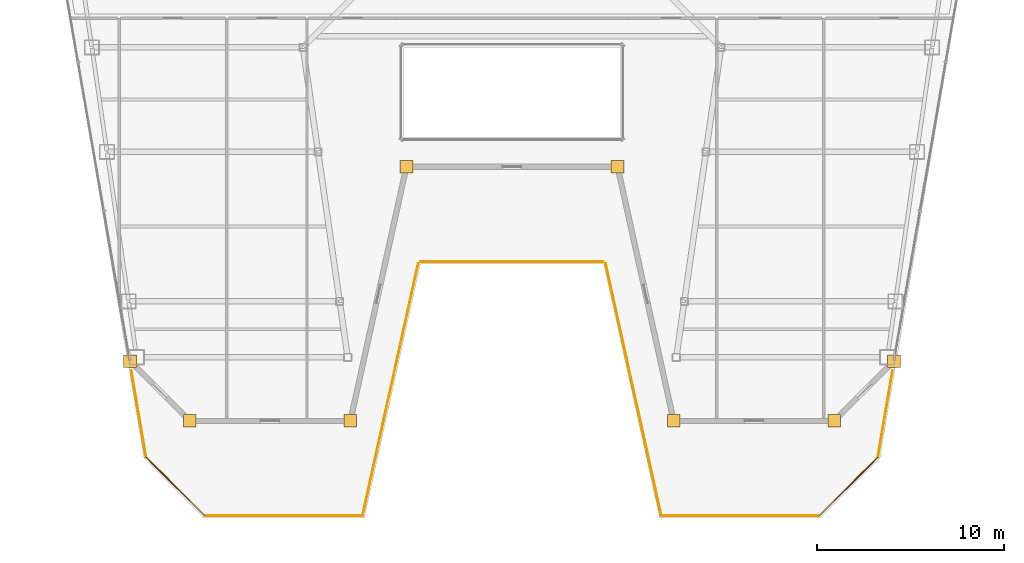
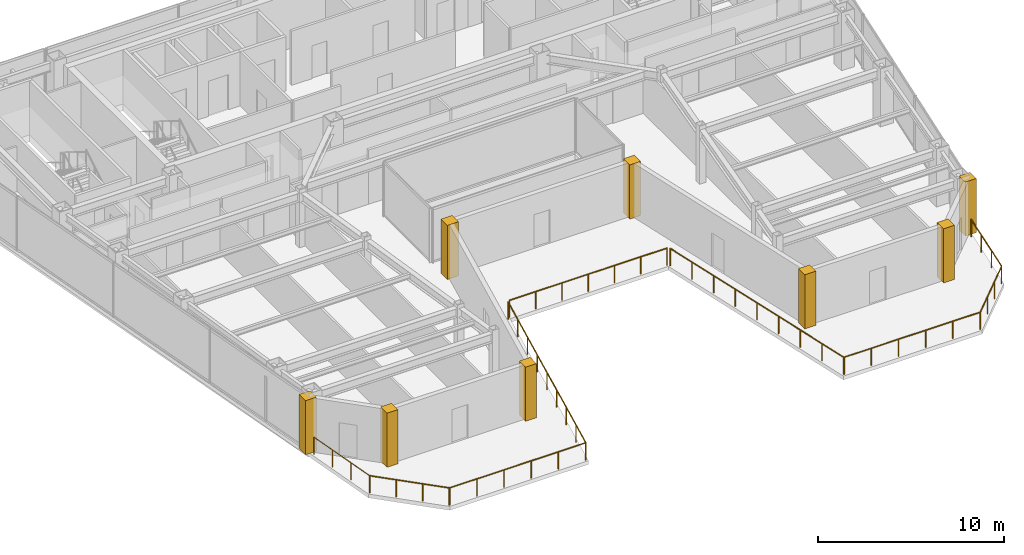
# One storey, part 28 of 31: 9 railings, 8 coverings.
"""IFC4 building model written with IfcOpenShell, lengths in metres."""

from ifc_helpers import new_model, si_unit, direction, frame, origin, origin_2d, place, context, subcontext, project, spatial, polyline, circle, outline, extrude, material, layer, layer_set, type_object, element, save


model = new_model("IFC4")

# Units and contexts
model_context = context("Model", 3, precision=1e-05, world=origin(), true_north=direction((0.0, 1.0)))
body_context = subcontext(model_context, "Body", "Model", "MODEL_VIEW")
ifc_project = project(units=[si_unit("LENGTHUNIT", "METRE"), si_unit("AREAUNIT", "SQUARE_METRE"), si_unit("VOLUMEUNIT", "CUBIC_METRE"), si_unit("PLANEANGLEUNIT", "RADIAN"), si_unit("MASSUNIT", "GRAM", prefix="KILO")], contexts=[model_context])

# Site, building, storey
site_placement = place(None, origin())
site = spatial("IfcSite", under=ifc_project, at=site_placement, CompositionType="ELEMENT")
building_placement = place(site_placement, origin())
building = spatial("IfcBuilding", under=site, at=building_placement, Name="Saevonmaru Cultural Tower", CompositionType="ELEMENT")
storey_placement = place(building_placement, frame((0.0, 0.0, 230.60009765625)))
storey = spatial("IfcBuildingStorey", under=building, at=storey_placement, Name="L53", CompositionType="ELEMENT", Elevation=230.60009765625)

# Coverings
ifc_material = material(Name="Satin Bronze Anodised Aluminium", Category="aluminium")
ifc_layer = layer(ifc_material, 0.679931640625, Name="Satin Bronze Anodised Aluminium")
ifc_layer_set = layer_set([ifc_layer], Name="Satin Bronze Anodised Aluminium")
covering_type = type_object("IfcCoveringType", Name="CV-CORNER-CLAD", PredefinedType="CLADDING", material=ifc_layer_set)
covering_1_placement = place(storey_placement, origin())
element("IfcCovering", 1, at=covering_1_placement, inside=storey, type_object=covering_type, Name="L53 Tower Bronze Corner Cladding Pier 1", PredefinedType="CLADDING", context=body_context, shape_type="SweptSolid", body=[
    extrude(outline(polyline([(9.20703125, 20.4599609375), (9.886962890625, 20.4599609375), (9.886962890625, 21.139892578125), (9.20703125, 21.139892578125), (9.20703125, 20.4599609375)])), origin(), (0.0, 0.0, 1.0), 3.5498046875),
])
covering_2_placement = place(storey_placement, origin())
element("IfcCovering", 2, at=covering_2_placement, inside=storey, type_object=covering_type, Name="L53 Tower Bronze Corner Cladding Pier 2", PredefinedType="CLADDING", context=body_context, shape_type="SweptSolid", body=[
    extrude(outline(polyline([(12.406982421875, 17.260009765625), (13.0869140625, 17.260009765625), (13.0869140625, 17.93994140625), (12.406982421875, 17.93994140625), (12.406982421875, 17.260009765625)])), origin(), (0.0, 0.0, 1.0), 3.5498046875),
])
covering_3_placement = place(storey_placement, origin())
element("IfcCovering", 3, at=covering_3_placement, inside=storey, type_object=covering_type, Name="L53 Tower Bronze Corner Cladding Pier 3", PredefinedType="CLADDING", context=body_context, shape_type="SweptSolid", body=[
    extrude(outline(polyline([(21.007080078125, 17.260009765625), (21.68701171875, 17.260009765625), (21.68701171875, 17.93994140625), (21.007080078125, 17.93994140625), (21.007080078125, 17.260009765625)])), origin(), (0.0, 0.0, 1.0), 3.5498046875),
])
covering_4_placement = place(storey_placement, origin())
element("IfcCovering", 4, at=covering_4_placement, inside=storey, type_object=covering_type, Name="L53 Tower Bronze Corner Cladding Pier 4", PredefinedType="CLADDING", context=body_context, shape_type="SweptSolid", body=[
    extrude(outline(polyline([(24.007080078125, 30.860107421875), (24.68701171875, 30.860107421875), (24.68701171875, 31.5400390625), (24.007080078125, 31.5400390625), (24.007080078125, 30.860107421875)])), origin(), (0.0, 0.0, 1.0), 3.5498046875),
])
covering_5_placement = place(storey_placement, origin())
element("IfcCovering", 5, at=covering_5_placement, inside=storey, type_object=covering_type, Name="L53 Tower Bronze Corner Cladding Pier 5", PredefinedType="CLADDING", context=body_context, shape_type="SweptSolid", body=[
    extrude(outline(polyline([(35.31298828125, 30.860107421875), (35.992919921875, 30.860107421875), (35.992919921875, 31.5400390625), (35.31298828125, 31.5400390625), (35.31298828125, 30.860107421875)])), origin(), (0.0, 0.0, 1.0), 3.5498046875),
])
covering_6_placement = place(storey_placement, origin())
element("IfcCovering", 6, at=covering_6_placement, inside=storey, type_object=covering_type, Name="L53 Tower Bronze Corner Cladding Pier 6", PredefinedType="CLADDING", context=body_context, shape_type="SweptSolid", body=[
    extrude(outline(polyline([(38.31298828125, 17.260009765625), (38.992919921875, 17.260009765625), (38.992919921875, 17.93994140625), (38.31298828125, 17.93994140625), (38.31298828125, 17.260009765625)])), origin(), (0.0, 0.0, 1.0), 3.5498046875),
])
covering_7_placement = place(storey_placement, origin())
element("IfcCovering", 7, at=covering_7_placement, inside=storey, type_object=covering_type, Name="L53 Tower Bronze Corner Cladding Pier 7", PredefinedType="CLADDING", context=body_context, shape_type="SweptSolid", body=[
    extrude(outline(polyline([(46.9130859375, 17.260009765625), (47.593017578125, 17.260009765625), (47.593017578125, 17.93994140625), (46.9130859375, 17.93994140625), (46.9130859375, 17.260009765625)])), origin(), (0.0, 0.0, 1.0), 3.5498046875),
])
covering_8_placement = place(storey_placement, origin())
element("IfcCovering", 8, at=covering_8_placement, inside=storey, type_object=covering_type, Name="L53 Tower Bronze Corner Cladding Pier 8", PredefinedType="CLADDING", context=body_context, shape_type="SweptSolid", body=[
    extrude(outline(polyline([(50.113037109375, 20.4599609375), (50.79296875, 20.4599609375), (50.79296875, 21.139892578125), (50.113037109375, 21.139892578125), (50.113037109375, 20.4599609375)])), origin(), (0.0, 0.0, 1.0), 3.5498046875),
])

# Railings
railing_type = type_object("IfcRailingType", Name="RL-BALUSTRADE-1150", PredefinedType="BALUSTRADE", material=ifc_material)
railing_1_placement = place(storey_placement, frame((50.372802734375, 20.2783203125, 0.0)))
element("IfcRailing", 9, at=railing_1_placement, inside=storey, type_object=railing_type, Name="L53 Setback Terrace Balustrade 1-1", PredefinedType="BALUSTRADE", context=body_context, shape_type="SweptSolid", body=[
    extrude(circle(Radius=0.02392578125, at=origin_2d()), frame((0.0, 0.0, 1.1259765625), z_axis=(-0.167062541762, -0.985946300333, 0.0), x_axis=(0.985946300333, -0.167062541762, 0.0)), (0.0, 0.0, 1.0), 4.666259765625),
    extrude(circle(Radius=0.02099609375, at=origin_2d()), origin(), (0.0, 0.0, 1.0), 1.101806640625),
    extrude(circle(Radius=0.02099609375, at=origin_2d()), frame((-0.259765625, -1.533447265625, 0.0)), (0.0, 0.0, 1.0), 1.101806640625),
    extrude(circle(Radius=0.02099609375, at=origin_2d()), frame((-0.519775390625, -3.067138671875, 0.0)), (0.0, 0.0, 1.0), 1.101806640625),
    extrude(circle(Radius=0.02099609375, at=origin_2d()), frame((-0.779541015625, -4.6005859375, 0.0)), (0.0, 0.0, 1.0), 1.101806640625),
])
railing_2_placement = place(storey_placement, frame((49.575927734375, 15.643798828125, 0.0)))
element("IfcRailing", 10, at=railing_2_placement, inside=storey, type_object=railing_type, Name="L53 Setback Terrace Balustrade 1-2", PredefinedType="BALUSTRADE", context=body_context, shape_type="SweptSolid", body=[
    extrude(circle(Radius=0.02392578125, at=origin_2d()), frame((0.0, 0.0, 1.1259765625), z_axis=(-0.707134537532, -0.707079023751, 0.0), x_axis=(0.707079023751, -0.707134537532, 0.0)), (0.0, 0.0, 1.0), 4.39794921875),
    extrude(circle(Radius=0.02099609375, at=origin_2d()), origin(), (0.0, 0.0, 1.0), 1.101806640625),
    extrude(circle(Radius=0.02099609375, at=origin_2d()), frame((-1.03662109375, -1.03662109375, 0.0)), (0.0, 0.0, 1.0), 1.101806640625),
    extrude(circle(Radius=0.02099609375, at=origin_2d()), frame((-2.0732421875, -2.072998046875, 0.0)), (0.0, 0.0, 1.0), 1.101806640625),
    extrude(circle(Radius=0.02099609375, at=origin_2d()), frame((-3.10986328125, -3.109619140625, 0.0)), (0.0, 0.0, 1.0), 1.101806640625),
])
railing_3_placement = place(storey_placement, frame((46.431884765625, 12.52001953125, 0.0)))
element("IfcRailing", 11, at=railing_3_placement, inside=storey, type_object=railing_type, Name="L53 Setback Terrace Balustrade 1-3", PredefinedType="BALUSTRADE", context=body_context, shape_type="SweptSolid", body=[
    extrude(circle(Radius=0.02392578125, at=origin_2d()), frame((0.0, 0.0, 1.1259765625), z_axis=(-1.0, 0.0, 0.0), x_axis=(0.0, -1.0, 0.0)), (0.0, 0.0, 1.0), 8.412841796875),
    extrude(circle(Radius=0.02099609375, at=origin_2d()), origin(), (0.0, 0.0, 1.0), 1.101806640625),
    extrude(circle(Radius=0.02099609375, at=origin_2d()), frame((-1.6826171875, 0.0, 0.0)), (0.0, 0.0, 1.0), 1.101806640625),
    extrude(circle(Radius=0.02099609375, at=origin_2d()), frame((-3.365234375, 0.0, 0.0)), (0.0, 0.0, 1.0), 1.101806640625),
    extrude(circle(Radius=0.02099609375, at=origin_2d()), frame((-5.047607421875, 0.0, 0.0)), (0.0, 0.0, 1.0), 1.101806640625),
    extrude(circle(Radius=0.02099609375, at=origin_2d()), frame((-6.730224609375, 0.0, 0.0)), (0.0, 0.0, 1.0), 1.101806640625),
    extrude(circle(Radius=0.02099609375, at=origin_2d()), frame((-8.412841796875, 0.0, 0.0)), (0.0, 0.0, 1.0), 1.101806640625),
])
railing_4_placement = place(storey_placement, frame((37.99462890625, 12.53955078125, 0.0)))
element("IfcRailing", 12, at=railing_4_placement, inside=storey, type_object=railing_type, Name="L53 Setback Terrace Balustrade 1-4", PredefinedType="BALUSTRADE", context=body_context, shape_type="SweptSolid", body=[
    extrude(circle(Radius=0.02392578125, at=origin_2d()), frame((0.0, 0.0, 1.1259765625), z_axis=(-0.215462534425, 0.976512107585, 0.0), x_axis=(-0.976512107585, -0.215462534425, 0.0)), (0.0, 0.0, 1.0), 13.791015625),
    extrude(circle(Radius=0.02099609375, at=origin_2d()), origin(), (0.0, 0.0, 1.0), 1.101806640625),
    extrude(circle(Radius=0.02099609375, at=origin_2d()), frame((-0.371337890625, 1.683349609375, 0.0)), (0.0, 0.0, 1.0), 1.101806640625),
    extrude(circle(Radius=0.02099609375, at=origin_2d()), frame((-0.742919921875, 3.36669921875, 0.0)), (0.0, 0.0, 1.0), 1.101806640625),
    extrude(circle(Radius=0.02099609375, at=origin_2d()), frame((-1.1142578125, 5.050048828125, 0.0)), (0.0, 0.0, 1.0), 1.101806640625),
    extrude(circle(Radius=0.02099609375, at=origin_2d()), frame((-1.48583984375, 6.7333984375, 0.0)), (0.0, 0.0, 1.0), 1.101806640625),
    extrude(circle(Radius=0.02099609375, at=origin_2d()), frame((-1.857177734375, 8.4169921875, 0.0)), (0.0, 0.0, 1.0), 1.101806640625),
    extrude(circle(Radius=0.02099609375, at=origin_2d()), frame((-2.228515625, 10.100341796875, 0.0)), (0.0, 0.0, 1.0), 1.101806640625),
    extrude(circle(Radius=0.02099609375, at=origin_2d()), frame((-2.60009765625, 11.78369140625, 0.0)), (0.0, 0.0, 1.0), 1.101806640625),
    extrude(circle(Radius=0.02099609375, at=origin_2d()), frame((-2.971435546875, 13.467041015625, 0.0)), (0.0, 0.0, 1.0), 1.101806640625),
])
railing_5_placement = place(storey_placement, frame((34.882080078125, 26.1201171875, 0.0)))
element("IfcRailing", 13, at=railing_5_placement, inside=storey, type_object=railing_type, Name="L53 Setback Terrace Balustrade 1-5", PredefinedType="BALUSTRADE", context=body_context, shape_type="SweptSolid", body=[
    extrude(circle(Radius=0.02392578125, at=origin_2d()), frame((0.0, 0.0, 1.1259765625), z_axis=(-1.0, 0.0, 0.0), x_axis=(0.0, -1.0, 0.0)), (0.0, 0.0, 1.0), 9.76416015625),
    extrude(circle(Radius=0.02099609375, at=origin_2d()), origin(), (0.0, 0.0, 1.0), 1.101806640625),
    extrude(circle(Radius=0.02099609375, at=origin_2d()), frame((-1.62744140625, 0.0, 0.0)), (0.0, 0.0, 1.0), 1.101806640625),
    extrude(circle(Radius=0.02099609375, at=origin_2d()), frame((-3.254638671875, 0.0, 0.0)), (0.0, 0.0, 1.0), 1.101806640625),
    extrude(circle(Radius=0.02099609375, at=origin_2d()), frame((-4.882080078125, 0.0, 0.0)), (0.0, 0.0, 1.0), 1.101806640625),
    extrude(circle(Radius=0.02099609375, at=origin_2d()), frame((-6.509521484375, 0.0, 0.0)), (0.0, 0.0, 1.0), 1.101806640625),
    extrude(circle(Radius=0.02099609375, at=origin_2d()), frame((-8.13671875, 0.0, 0.0)), (0.0, 0.0, 1.0), 1.101806640625),
    extrude(circle(Radius=0.02099609375, at=origin_2d()), frame((-9.76416015625, 0.0, 0.0)), (0.0, 0.0, 1.0), 1.101806640625),
])
railing_6_placement = place(storey_placement, frame((24.976806640625, 26.006591796875, 0.0)))
element("IfcRailing", 14, at=railing_6_placement, inside=storey, type_object=railing_type, Name="L53 Setback Terrace Balustrade 1-6", PredefinedType="BALUSTRADE", context=body_context, shape_type="SweptSolid", body=[
    extrude(circle(Radius=0.02392578125, at=origin_2d()), frame((0.0, 0.0, 1.1259765625), z_axis=(-0.215462534425, -0.976512107585, 0.0), x_axis=(0.976512107585, -0.215462534425, 0.0)), (0.0, 0.0, 1.0), 13.791015625),
    extrude(circle(Radius=0.02099609375, at=origin_2d()), origin(), (0.0, 0.0, 1.0), 1.101806640625),
    extrude(circle(Radius=0.02099609375, at=origin_2d()), frame((-0.371337890625, -1.683349609375, 0.0)), (0.0, 0.0, 1.0), 1.101806640625),
    extrude(circle(Radius=0.02099609375, at=origin_2d()), frame((-0.742919921875, -3.36669921875, 0.0)), (0.0, 0.0, 1.0), 1.101806640625),
    extrude(circle(Radius=0.02099609375, at=origin_2d()), frame((-1.1142578125, -5.050048828125, 0.0)), (0.0, 0.0, 1.0), 1.101806640625),
    extrude(circle(Radius=0.02099609375, at=origin_2d()), frame((-1.48583984375, -6.7333984375, 0.0)), (0.0, 0.0, 1.0), 1.101806640625),
    extrude(circle(Radius=0.02099609375, at=origin_2d()), frame((-1.857177734375, -8.4169921875, 0.0)), (0.0, 0.0, 1.0), 1.101806640625),
    extrude(circle(Radius=0.02099609375, at=origin_2d()), frame((-2.228515625, -10.100341796875, 0.0)), (0.0, 0.0, 1.0), 1.101806640625),
    extrude(circle(Radius=0.02099609375, at=origin_2d()), frame((-2.60009765625, -11.78369140625, 0.0)), (0.0, 0.0, 1.0), 1.101806640625),
    extrude(circle(Radius=0.02099609375, at=origin_2d()), frame((-2.971435546875, -13.467041015625, 0.0)), (0.0, 0.0, 1.0), 1.101806640625),
])
railing_7_placement = place(storey_placement, frame((21.98095703125, 12.52001953125, 0.0)))
element("IfcRailing", 15, at=railing_7_placement, inside=storey, type_object=railing_type, Name="L53 Setback Terrace Balustrade 1-7", PredefinedType="BALUSTRADE", context=body_context, shape_type="SweptSolid", body=[
    extrude(circle(Radius=0.02392578125, at=origin_2d()), frame((0.0, 0.0, 1.1259765625), z_axis=(-1.0, 0.0, 0.0), x_axis=(0.0, -1.0, 0.0)), (0.0, 0.0, 1.0), 8.412841796875),
    extrude(circle(Radius=0.02099609375, at=origin_2d()), origin(), (0.0, 0.0, 1.0), 1.101806640625),
    extrude(circle(Radius=0.02099609375, at=origin_2d()), frame((-1.6826171875, 0.0, 0.0)), (0.0, 0.0, 1.0), 1.101806640625),
    extrude(circle(Radius=0.02099609375, at=origin_2d()), frame((-3.365234375, 0.0, 0.0)), (0.0, 0.0, 1.0), 1.101806640625),
    extrude(circle(Radius=0.02099609375, at=origin_2d()), frame((-5.047607421875, 0.0, 0.0)), (0.0, 0.0, 1.0), 1.101806640625),
    extrude(circle(Radius=0.02099609375, at=origin_2d()), frame((-6.730224609375, 0.0, 0.0)), (0.0, 0.0, 1.0), 1.101806640625),
    extrude(circle(Radius=0.02099609375, at=origin_2d()), frame((-8.412841796875, 0.0, 0.0)), (0.0, 0.0, 1.0), 1.101806640625),
])
railing_8_placement = place(storey_placement, frame((13.533935546875, 12.5341796875, 0.0)))
element("IfcRailing", 16, at=railing_8_placement, inside=storey, type_object=railing_type, Name="L53 Setback Terrace Balustrade 1-8", PredefinedType="BALUSTRADE", context=body_context, shape_type="SweptSolid", body=[
    extrude(circle(Radius=0.02392578125, at=origin_2d()), frame((0.0, 0.0, 1.1259765625), z_axis=(-0.707134537532, 0.707079023751, 0.0), x_axis=(-0.707079023751, -0.707134537532, 0.0)), (0.0, 0.0, 1.0), 4.39794921875),
    extrude(circle(Radius=0.02099609375, at=origin_2d()), origin(), (0.0, 0.0, 1.0), 1.101806640625),
    extrude(circle(Radius=0.02099609375, at=origin_2d()), frame((-1.03662109375, 1.03662109375, 0.0)), (0.0, 0.0, 1.0), 1.101806640625),
    extrude(circle(Radius=0.02099609375, at=origin_2d()), frame((-2.0732421875, 2.072998046875, 0.0)), (0.0, 0.0, 1.0), 1.101806640625),
    extrude(circle(Radius=0.02099609375, at=origin_2d()), frame((-3.10986328125, 3.109619140625, 0.0)), (0.0, 0.0, 1.0), 1.101806640625),
])
railing_9_placement = place(storey_placement, frame((10.40673828125, 15.677734375, 0.0)))
element("IfcRailing", 17, at=railing_9_placement, inside=storey, type_object=railing_type, Name="L53 Setback Terrace Balustrade 1-9", PredefinedType="BALUSTRADE", context=body_context, shape_type="SweptSolid", body=[
    extrude(circle(Radius=0.02392578125, at=origin_2d()), frame((0.0, 0.0, 1.1259765625), z_axis=(-0.167062541762, 0.985946300333, 0.0), x_axis=(-0.985946300333, -0.167062541762, 0.0)), (0.0, 0.0, 1.0), 4.666259765625),
    extrude(circle(Radius=0.02099609375, at=origin_2d()), origin(), (0.0, 0.0, 1.0), 1.101806640625),
    extrude(circle(Radius=0.02099609375, at=origin_2d()), frame((-0.259765625, 1.533447265625, 0.0)), (0.0, 0.0, 1.0), 1.101806640625),
    extrude(circle(Radius=0.02099609375, at=origin_2d()), frame((-0.519775390625, 3.067138671875, 0.0)), (0.0, 0.0, 1.0), 1.101806640625),
    extrude(circle(Radius=0.02099609375, at=origin_2d()), frame((-0.779541015625, 4.6005859375, 0.0)), (0.0, 0.0, 1.0), 1.101806640625),
])

save(model, "model.ifc")
